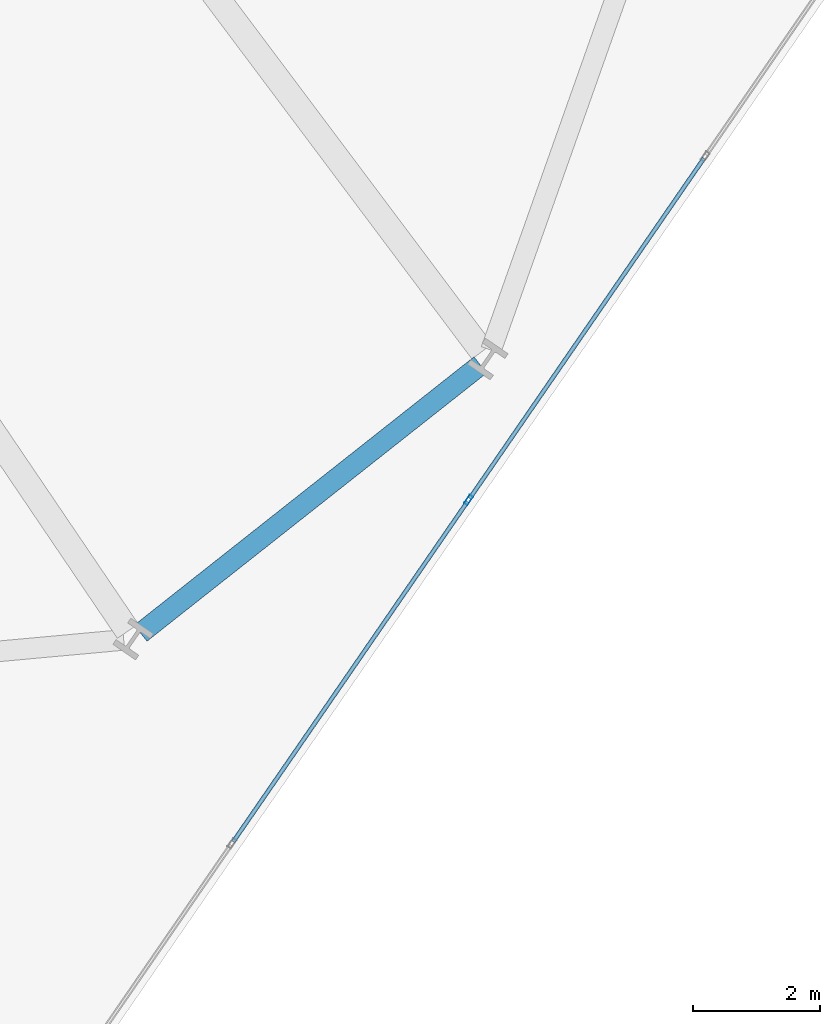
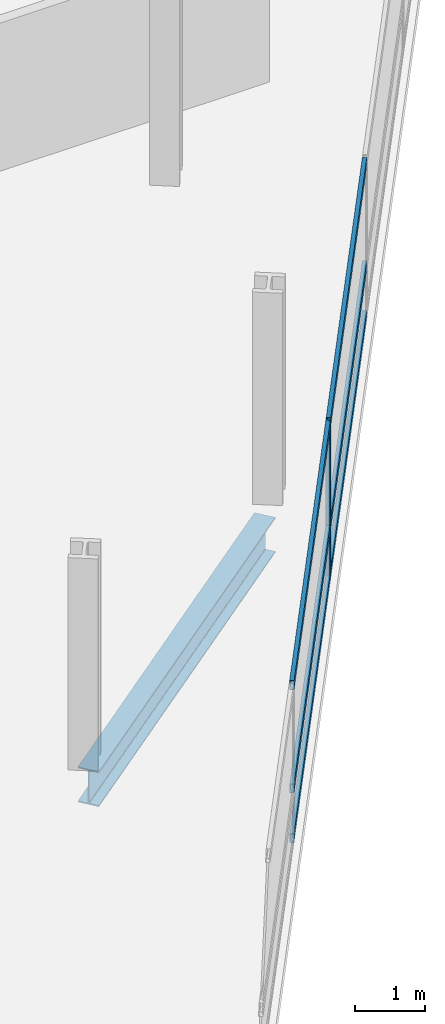
# One storey, part 7 of 25: 7 members, 1 beam, 1 element without a shape of its own.
"""IFC4 building model written with IfcOpenShell, lengths in metres."""

from ifc_helpers import new_model, si_unit, direction, frame, origin, origin_2d, place, context, subcontext, project, spatial, hollow_rectangle, i_section, extrude, material, layer, layer_set, material_profile, profile_set, type_object, element, aggregate, save


model = new_model("IFC4")

# Units and contexts
model_context = context("Model", 3, precision=1e-05, world=origin(), true_north=direction((0.0, 1.0)))
body_context = subcontext(model_context, "Body", "Model", "MODEL_VIEW")
ifc_project = project(units=[si_unit("LENGTHUNIT", "METRE"), si_unit("AREAUNIT", "SQUARE_METRE"), si_unit("VOLUMEUNIT", "CUBIC_METRE"), si_unit("PLANEANGLEUNIT", "RADIAN"), si_unit("MASSUNIT", "GRAM", prefix="KILO")], contexts=[model_context])

# Site, building, storey
site_placement = place(None, origin())
site = spatial("IfcSite", under=ifc_project, at=site_placement, CompositionType="ELEMENT")
building_placement = place(site_placement, origin())
building = spatial("IfcBuilding", under=site, at=building_placement, Name="Varnelok Gate Tower", CompositionType="ELEMENT")
storey_placement = place(building_placement, frame((0.0, 0.0, 64.0)))
storey = spatial("IfcBuildingStorey", under=building, at=storey_placement, Name="L15", CompositionType="ELEMENT", Elevation=64.0)

# Beam
ifc_material_1 = material(Name="Structural Steel ASTM A992 Grade 50", Category="steel")
ifc_material_profile_1 = material_profile(ifc_material_1, i_section(OverallWidth=0.323974609375, OverallDepth=0.611083984375, WebThickness=0.0126953125, FlangeThickness=0.01904296875, FilletRadius=0.01806640625, at=origin_2d()), Name="W24X104")
ifc_profile_set_1 = profile_set([ifc_material_profile_1], Name="Structural Steel ASTM A992 Grade 50")
beam_type = type_object("IfcBeamType", Name="BM-SPN-W24X104", PredefinedType="SPANDREL", material=ifc_profile_set_1)
beam_placement = place(storey_placement, frame((66.202392578125, 1.045654296875, -0.555419921875), z_axis=(0.784860761341, 0.619672159538, 0.0), x_axis=(-0.619672159538, 0.784860761341, 0.0)))
element("IfcBeam", 1, at=beam_placement, inside=storey, type_object=beam_type, Name="L15 Perimeter Spandrel Beam 6", PredefinedType="SPANDREL", context=body_context, shape_type="SweptSolid", body=[
    extrude(i_section(OverallWidth=0.323974609375, OverallDepth=0.611083984375, WebThickness=0.0126953125, FlangeThickness=0.01904296875, FilletRadius=0.01806640625, at=origin_2d()), origin(), (0.0, 0.0, 1.0), 6.81640625),
])

# Curtain wall, members
ifc_material_2 = material(Name="Anodized Aluminum Alloy 6063-T6", Category="aluminium")
ifc_layer = layer(ifc_material_2, 0.179931640625)
ifc_layer_set = layer_set([ifc_layer], Name="Anodized Aluminum Alloy 6063-T6")
curtain_wall_type = type_object("IfcCurtainWallType", Name="CW3-HOTEL-VISION", PredefinedType="USERDEFINED", material=ifc_layer_set)
curtain_wall_placement = place(storey_placement, origin())
curtain_wall = element("IfcCurtainWall", 2, at=curtain_wall_placement, inside=storey, type_object=curtain_wall_type, Name="L15 East End Vision Curtain Wall", ObjectType="UNITISED CURTAIN WALL", PredefinedType="USERDEFINED")
ifc_material_profile_2 = material_profile(ifc_material_2, hollow_rectangle(XDim=0.06494140625, YDim=0.159912109375, WallThickness=0.00390625, at=origin_2d()), Name="ALU160X65X4")
ifc_profile_set_2 = profile_set([ifc_material_profile_2], Name="Anodized Aluminum Alloy 6063-T6")
member_type_1 = type_object("IfcMemberType", Name="CW-MULL-160", PredefinedType="MULLION", material=ifc_profile_set_2)
member_1_placement = place(storey_placement, frame((71.3671875, 3.142578125, 0.0), z_axis=(0.0, 0.0, 1.0), x_axis=(0.823532685111, -0.567268822124, 0.0)))
member_1 = element("IfcMember", 3, at=member_1_placement, type_object=member_type_1, Name="CW3 mullion 4", PredefinedType="MULLION", context=body_context, shape_type="SweptSolid", body=[
    extrude(hollow_rectangle(XDim=0.06494140625, YDim=0.159912109375, WallThickness=0.00390625, at=origin_2d()), origin(), (0.0, 0.0, 1.0), 2.72998046875),
])
ifc_material_profile_3 = material_profile(ifc_material_2, hollow_rectangle(XDim=0.06494140625, YDim=0.159912109375, WallThickness=0.00390625, at=origin_2d()), Name="ALU160X65X4")
ifc_profile_set_3 = profile_set([ifc_material_profile_3], Name="Anodized Aluminum Alloy 6063-T6")
member_type_2 = type_object("IfcMemberType", Name="CW-TRAN-160", PredefinedType="USERDEFINED", material=ifc_profile_set_3)
member_2_placement = place(storey_placement, frame((75.07373046875, 8.523681640625, 0.032470703125), z_axis=(-0.56723619486, -0.82355515859, 0.0), x_axis=(0.82355515859, -0.56723619486, 0.0)))
member_2 = element("IfcMember", 4, at=member_2_placement, type_object=member_type_2, Name="CW3 transom 3.1", ObjectType="TRANSOM", PredefinedType="USERDEFINED", context=body_context, shape_type="SweptSolid", body=[
    extrude(hollow_rectangle(XDim=0.06494140625, YDim=0.159912109375, WallThickness=0.00390625, at=origin_2d()), origin(), (0.0, 0.0, 1.0), 6.501708984375),
])
member_3_placement = place(storey_placement, frame((75.07373046875, 8.523681640625, 0.89990234375), z_axis=(-0.56723619486, -0.82355515859, 0.0), x_axis=(0.82355515859, -0.56723619486, 0.0)))
member_3 = element("IfcMember", 5, at=member_3_placement, type_object=member_type_2, Name="CW3 transom 3.2", ObjectType="TRANSOM", PredefinedType="USERDEFINED", context=body_context, shape_type="SweptSolid", body=[
    extrude(hollow_rectangle(XDim=0.06494140625, YDim=0.159912109375, WallThickness=0.00390625, at=origin_2d()), origin(), (0.0, 0.0, 1.0), 6.501708984375),
])
member_4_placement = place(storey_placement, frame((75.07373046875, 8.523681640625, 2.697509765625), z_axis=(-0.56723619486, -0.82355515859, 0.0), x_axis=(0.82355515859, -0.56723619486, 0.0)))
member_4 = element("IfcMember", 6, at=member_4_placement, type_object=member_type_2, Name="CW3 transom 3.3", ObjectType="TRANSOM", PredefinedType="USERDEFINED", context=body_context, shape_type="SweptSolid", body=[
    extrude(hollow_rectangle(XDim=0.06494140625, YDim=0.159912109375, WallThickness=0.00390625, at=origin_2d()), origin(), (0.0, 0.0, 1.0), 6.501708984375),
])
member_5_placement = place(storey_placement, frame((71.348876953125, 3.11572265625, 0.032470703125), z_axis=(-0.567279204469, -0.823525533409, 0.0), x_axis=(0.823525533409, -0.567279204469, 0.0)))
member_5 = element("IfcMember", 7, at=member_5_placement, type_object=member_type_2, Name="CW3 transom 4.1", ObjectType="TRANSOM", PredefinedType="USERDEFINED", context=body_context, shape_type="SweptSolid", body=[
    extrude(hollow_rectangle(XDim=0.06494140625, YDim=0.159912109375, WallThickness=0.00390625, at=origin_2d()), origin(), (0.0, 0.0, 1.0), 6.501708984375),
])
member_6_placement = place(storey_placement, frame((71.348876953125, 3.11572265625, 0.89990234375), z_axis=(-0.567279204469, -0.823525533409, 0.0), x_axis=(0.823525533409, -0.567279204469, 0.0)))
member_6 = element("IfcMember", 8, at=member_6_placement, type_object=member_type_2, Name="CW3 transom 4.2", ObjectType="TRANSOM", PredefinedType="USERDEFINED", context=body_context, shape_type="SweptSolid", body=[
    extrude(hollow_rectangle(XDim=0.06494140625, YDim=0.159912109375, WallThickness=0.00390625, at=origin_2d()), origin(), (0.0, 0.0, 1.0), 6.501708984375),
])
member_7_placement = place(storey_placement, frame((71.348876953125, 3.11572265625, 2.697509765625), z_axis=(-0.567279204469, -0.823525533409, 0.0), x_axis=(0.823525533409, -0.567279204469, 0.0)))
member_7 = element("IfcMember", 9, at=member_7_placement, type_object=member_type_2, Name="CW3 transom 4.3", ObjectType="TRANSOM", PredefinedType="USERDEFINED", context=body_context, shape_type="SweptSolid", body=[
    extrude(hollow_rectangle(XDim=0.06494140625, YDim=0.159912109375, WallThickness=0.00390625, at=origin_2d()), origin(), (0.0, 0.0, 1.0), 6.501708984375),
])
aggregate(curtain_wall, [member_1, member_2, member_3, member_4, member_5, member_6, member_7])

save(model, "model.ifc")
